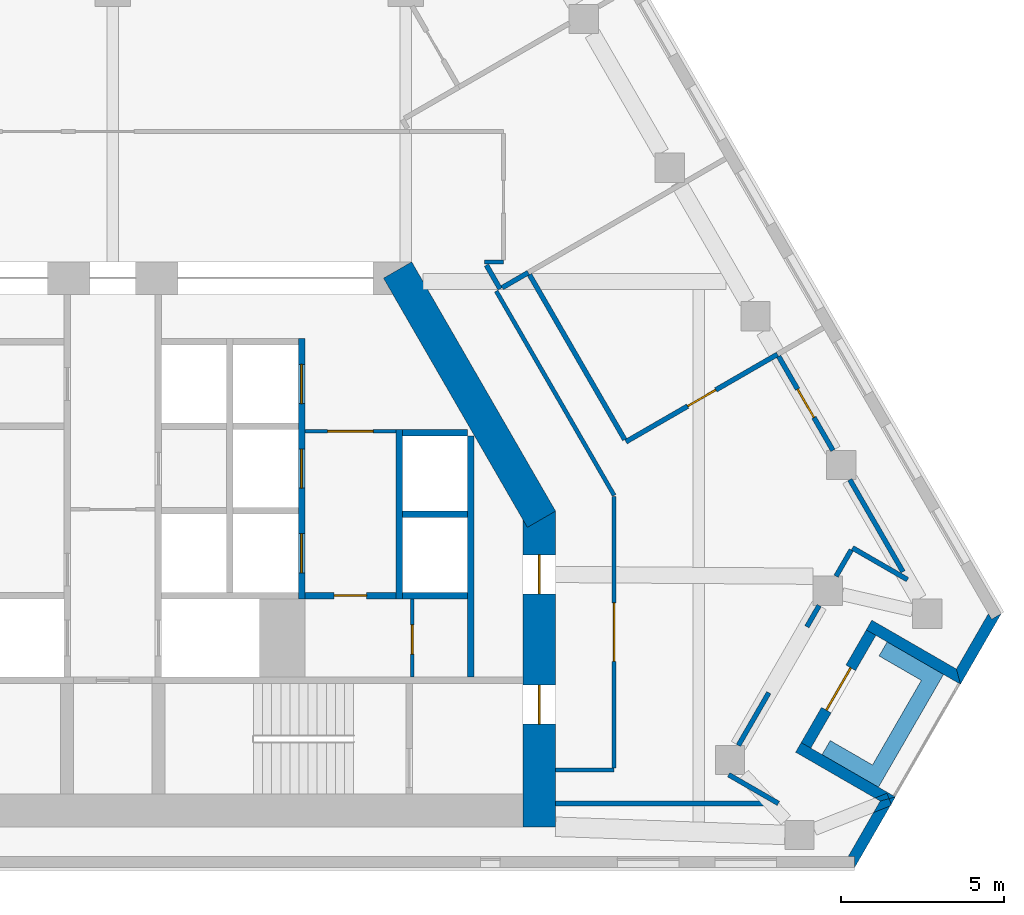
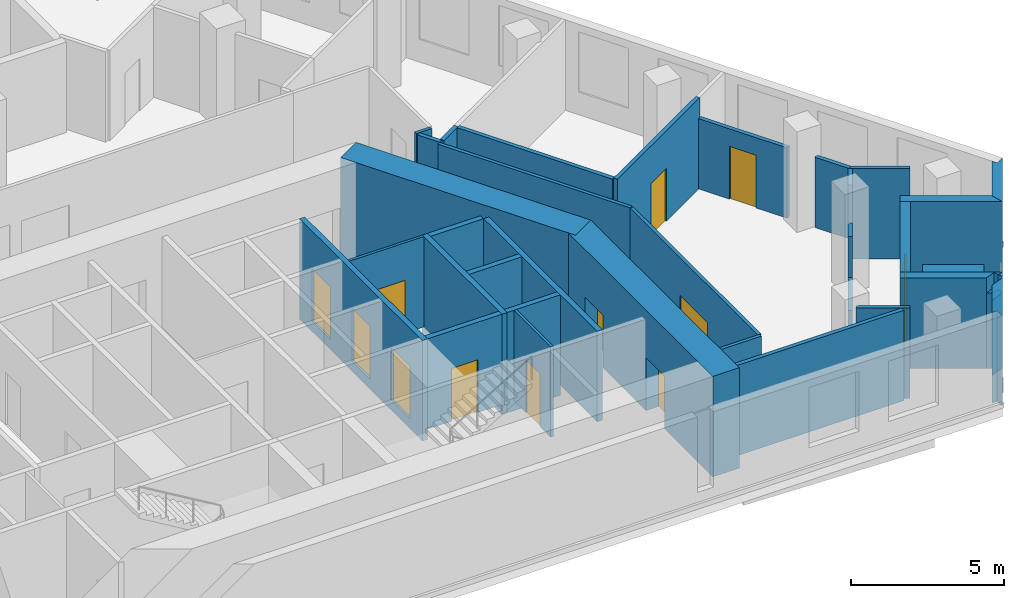
# One storey, part 6 of 9: 36 walls, 12 doors, 12 openings.
"""IFC4 building model written with IfcOpenShell, lengths in metres."""

from ifc_helpers import new_model, si_unit, direction, frame, frame_2d, origin, place, context, subcontext, project, spatial, polyline, rectangle, outline, extrude, material, layer, layer_set, type_object, element, fill, save


model = new_model("IFC4")

# Units and contexts
model_context = context("Model", 3, precision=1e-05, world=origin(), true_north=direction((0.0, 1.0)))
body_context = subcontext(model_context, "Body", "Model", "MODEL_VIEW")
ifc_project = project(units=[si_unit("LENGTHUNIT", "METRE"), si_unit("AREAUNIT", "SQUARE_METRE"), si_unit("VOLUMEUNIT", "CUBIC_METRE"), si_unit("PLANEANGLEUNIT", "RADIAN"), si_unit("MASSUNIT", "GRAM", prefix="KILO")], contexts=[model_context])

# Site, building, storey
site_placement = place(None, origin())
site = spatial("IfcSite", under=ifc_project, at=site_placement, CompositionType="ELEMENT")
building_placement = place(site_placement, origin())
building = spatial("IfcBuilding", under=site, at=building_placement, Name="Fogline Exchange Tower", CompositionType="ELEMENT")
storey_placement = place(building_placement, frame((0.0, 0.0, 210.10009765625)))
storey = spatial("IfcBuildingStorey", under=building, at=storey_placement, Name="L47", CompositionType="ELEMENT", Elevation=210.10009765625)

# Wall, opening, door
ifc_material_1 = material(Name="Blockwork partition", Category="masonry")
ifc_layer_1 = layer(ifc_material_1, 0.10009765625)
ifc_layer_set_1 = layer_set([ifc_layer_1], Name="CW10")
wall_type_1 = type_object("IfcWallType", Name="CW10", PredefinedType="PARTITIONING", material=ifc_layer_set_1)
wall_1_placement = place(storey_placement, frame((5.89990234375, 13.39990234375, 0.0), z_axis=(0.0, 0.0, 1.0), x_axis=(1.0, 0.0, 0.0)))
wall_1 = element("IfcWall", 1, at=wall_1_placement, inside=storey, type_object=wall_type_1, Name="Lift lobby partition", PredefinedType="PARTITIONING", context=body_context, shape_type="SweptSolid", body=[
    extrude(rectangle(XDim=2.800048828125, YDim=0.10009765625, at=frame_2d((1.39990234375, 0.0))), origin(), (0.0, 0.0, 1.0), 3.599853515625),
])
opening_1_placement = place(wall_1_placement, frame((0.699951171875, 0.0, 0.0)))
opening_1 = element("IfcOpeningElement", 2, at=opening_1_placement, cuts=wall_1, Name="Opening T15-C013", PredefinedType="OPENING", context=body_context, shape_type="SweptSolid", body=[
    extrude(rectangle(XDim=1.39990234375, YDim=2.10009765625, at=frame_2d((0.699951171875, 1.050048828125))), frame((0.0, 0.06005859375, 0.0), z_axis=(0.0, -1.0, 0.0), x_axis=(1.0, 0.0, 0.0)), (0.0, 0.0, 1.0), 0.1201171875),
])
ifc_material_2 = material(Name="Steel and timber fire door", Category="steel")
door_type_1 = type_object("IfcDoorType", Name="D-LB1", OperationType="DOUBLE_DOOR_SINGLE_SWING", PredefinedType="DOOR", material=ifc_material_2)
door_1_placement = place(opening_1_placement, frame((1.39990234375, 0.0, 0.0), z_axis=(0.0, 0.0, 1.0), x_axis=(-1.0, 0.0, 0.0)))
door_1 = element("IfcDoor", 3, at=door_1_placement, inside=storey, type_object=door_type_1, Name="Door to lift lobby", OperationType="DOUBLE_DOOR_SINGLE_SWING", OverallHeight=2.10009765625, OverallWidth=1.39990234375, PredefinedType="DOOR", context=body_context, shape_type="SweptSolid", body=[
    extrude(rectangle(XDim=1.39990234375, YDim=2.10009765625, at=frame_2d((0.699951171875, 1.050048828125))), frame((0.0, 0.02490234375, 0.0), z_axis=(0.0, -1.0, 0.0), x_axis=(1.0, 0.0, 0.0)), (0.0, 0.0, 1.0), 0.050048828125),
])
fill(opening_1, door_1)

wall_2_placement = place(storey_placement, frame((9.199951171875, 5.85009765625, 0.0), z_axis=(0.0, 0.0, 1.0), x_axis=(0.0, 1.0, 0.0)))
wall_2 = element("IfcWall", 4, at=wall_2_placement, inside=storey, type_object=wall_type_1, Name="WC partition", PredefinedType="PARTITIONING", context=body_context, shape_type="SweptSolid", body=[
    extrude(rectangle(XDim=2.39990234375, YDim=0.10009765625, at=frame_2d((1.199951171875, 0.0))), origin(), (0.0, 0.0, 1.0), 3.599853515625),
])
opening_2_placement = place(wall_2_placement, frame((0.699951171875, 0.0, 0.0)))
opening_2 = element("IfcOpeningElement", 5, at=opening_2_placement, cuts=wall_2, Name="Opening T15-C015", PredefinedType="OPENING", context=body_context, shape_type="SweptSolid", body=[
    extrude(rectangle(XDim=0.89990234375, YDim=2.10009765625, at=frame_2d((0.449951171875, 1.050048828125))), frame((0.0, 0.06005859375, 0.0), z_axis=(0.0, -1.0, 0.0), x_axis=(1.0, 0.0, 0.0)), (0.0, 0.0, 1.0), 0.1201171875),
])
door_type_2 = type_object("IfcDoorType", Name="D-CS1", OperationType="SINGLE_SWING_RIGHT", PredefinedType="DOOR", material=ifc_material_2)
door_2_placement = place(opening_2_placement, frame((0.89990234375, 0.0, 0.0), z_axis=(0.0, 0.0, 1.0), x_axis=(-1.0, 0.0, 0.0)))
door_2 = element("IfcDoor", 6, at=door_2_placement, inside=storey, type_object=door_type_2, Name="Door to Cleaner's Store", OperationType="SINGLE_SWING_RIGHT", OverallHeight=2.10009765625, OverallWidth=0.89990234375, PredefinedType="DOOR", context=body_context, shape_type="SweptSolid", body=[
    extrude(rectangle(XDim=0.89990234375, YDim=2.10009765625, at=frame_2d((0.449951171875, 1.050048828125))), frame((0.0, 0.02490234375, 0.0), z_axis=(0.0, -1.0, 0.0), x_axis=(1.0, 0.0, 0.0)), (0.0, 0.0, 1.0), 0.050048828125),
])
fill(opening_2, door_2)

# Wall
ifc_material_3 = material(Name="Concrete C40", Category="concrete")
ifc_layer_2 = layer(ifc_material_3, 0.199951171875)
ifc_layer_set_2 = layer_set([ifc_layer_2], Name="CW20")
wall_type_2 = type_object("IfcWallType", Name="CW20", PredefinedType="SOLIDWALL", material=ifc_layer_set_2)
wall_3_placement = place(storey_placement, frame((11.0, 5.85009765625, 0.0), z_axis=(0.0, 0.0, 1.0), x_axis=(0.0, 1.0, 0.0)))
element("IfcWall", 7, at=wall_3_placement, inside=storey, type_object=wall_type_2, Name="Service room wall", PredefinedType="SOLIDWALL", context=body_context, shape_type="SweptSolid", body=[
    extrude(rectangle(XDim=7.39990234375, YDim=0.199951171875, at=frame_2d((3.699951171875, 0.0))), origin(), (0.0, 0.0, 1.0), 3.599853515625),
])

# Wall, opening, door
wall_4_placement = place(storey_placement, frame((5.89990234375, 8.35009765625, 0.0), z_axis=(0.0, 0.0, 1.0), x_axis=(1.0, 0.0, 0.0)))
wall_4 = element("IfcWall", 8, at=wall_4_placement, inside=storey, type_object=wall_type_2, Name="WC wall", PredefinedType="SOLIDWALL", context=body_context, shape_type="SweptSolid", body=[
    extrude(rectangle(XDim=2.800048828125, YDim=0.199951171875, at=frame_2d((1.39990234375, 0.0))), origin(), (0.0, 0.0, 1.0), 3.599853515625),
])
opening_3_placement = place(wall_4_placement, frame((0.89990234375, 0.0, 0.0)))
opening_3 = element("IfcOpeningElement", 9, at=opening_3_placement, cuts=wall_4, Name="Opening T15-C014", PredefinedType="OPENING", context=body_context, shape_type="SweptSolid", body=[
    extrude(rectangle(XDim=1.0, YDim=2.10009765625, at=frame_2d((0.5, 1.050048828125))), frame((0.0, 0.10986328125, 0.0), z_axis=(0.0, -1.0, 0.0), x_axis=(1.0, 0.0, 0.0)), (0.0, 0.0, 1.0), 0.219970703125),
])
door_type_3 = type_object("IfcDoorType", Name="D-WC1", OperationType="SINGLE_SWING_LEFT", PredefinedType="DOOR", material=ifc_material_2)
door_3_placement = place(opening_3_placement, frame((1.0, 0.0, 0.0), z_axis=(0.0, 0.0, 1.0), x_axis=(-1.0, 0.0, 0.0)))
door_3 = element("IfcDoor", 10, at=door_3_placement, inside=storey, type_object=door_type_3, Name="Door to Women's WC", OperationType="SINGLE_SWING_LEFT", OverallHeight=2.10009765625, OverallWidth=1.0, PredefinedType="DOOR", context=body_context, shape_type="SweptSolid", body=[
    extrude(rectangle(XDim=1.0, YDim=2.10009765625, at=frame_2d((0.5, 1.050048828125))), frame((0.0, 0.02490234375, 0.0), z_axis=(0.0, -1.0, 0.0), x_axis=(1.0, 0.0, 0.0)), (0.0, 0.0, 1.0), 0.050048828125),
])
fill(opening_3, door_3)

# Wall
ifc_layer_3 = layer(ifc_material_3, 0.199951171875)
ifc_layer_set_3 = layer_set([ifc_layer_3], Name="CW20S")
wall_type_3 = type_object("IfcWallType", Name="CW20S", PredefinedType="SOLIDWALL", material=ifc_layer_set_3)
wall_5_placement = place(storey_placement, frame((8.800048828125, 8.25, -0.400146484375), z_axis=(0.0, 0.0, 1.0), x_axis=(0.0, 1.0, 0.0)))
element("IfcWall", 11, at=wall_5_placement, inside=storey, type_object=wall_type_3, Name="Lift shaft wall", PredefinedType="SOLIDWALL", context=body_context, shape_type="SweptSolid", body=[
    extrude(rectangle(XDim=5.199951171875, YDim=0.199951171875, at=frame_2d((2.60009765625, 0.0))), origin(), (0.0, 0.0, 1.0), 4.0),
])

# Wall, openings, doors
wall_6_placement = place(storey_placement, frame((5.800048828125, 8.25, -0.400146484375), z_axis=(0.0, 0.0, 1.0), x_axis=(0.0, 1.0, 0.0)))
wall_6 = element("IfcWall", 12, at=wall_6_placement, inside=storey, type_object=wall_type_3, Name="Lift shaft wall", PredefinedType="SOLIDWALL", context=body_context, shape_type="SweptSolid", body=[
    extrude(rectangle(XDim=8.0, YDim=0.199951171875, at=frame_2d((4.0, 0.0))), origin(), (0.0, 0.0, 1.0), 4.0),
])
opening_4_placement = place(wall_6_placement, frame((0.800048828125, 0.0, 0.39990234375)))
opening_4 = element("IfcOpeningElement", 13, at=opening_4_placement, cuts=wall_6, Name="Opening T15-LD02", PredefinedType="OPENING", context=body_context, shape_type="SweptSolid", body=[
    extrude(rectangle(XDim=1.199951171875, YDim=2.10009765625, at=frame_2d((0.60009765625, 1.050048828125))), frame((0.0, 0.10986328125, 0.0), z_axis=(0.0, -1.0, 0.0), x_axis=(1.0, 0.0, 0.0)), (0.0, 0.0, 1.0), 0.219970703125),
])
opening_5_placement = place(wall_6_placement, frame((3.39990234375, 0.0, 0.39990234375)))
opening_5 = element("IfcOpeningElement", 14, at=opening_5_placement, cuts=wall_6, Name="Opening T15-LD03", PredefinedType="OPENING", context=body_context, shape_type="SweptSolid", body=[
    extrude(rectangle(XDim=1.199951171875, YDim=2.10009765625, at=frame_2d((0.60009765625, 1.050048828125))), frame((0.0, 0.10986328125, 0.0), z_axis=(0.0, -1.0, 0.0), x_axis=(1.0, 0.0, 0.0)), (0.0, 0.0, 1.0), 0.219970703125),
])
opening_6_placement = place(wall_6_placement, frame((6.0, 0.0, 0.39990234375)))
opening_6 = element("IfcOpeningElement", 15, at=opening_6_placement, cuts=wall_6, Name="Opening T15-LD04", PredefinedType="OPENING", context=body_context, shape_type="SweptSolid", body=[
    extrude(rectangle(XDim=1.199951171875, YDim=2.10009765625, at=frame_2d((0.60009765625, 1.050048828125))), frame((0.0, 0.10986328125, 0.0), z_axis=(0.0, -1.0, 0.0), x_axis=(1.0, 0.0, 0.0)), (0.0, 0.0, 1.0), 0.219970703125),
])
door_type_4 = type_object("IfcDoorType", Name="LD1", OperationType="SLIDING_TO_LEFT", PredefinedType="DOOR", material=ifc_material_2)
door_4_placement = place(opening_4_placement, origin())
door_4 = element("IfcDoor", 16, at=door_4_placement, inside=storey, type_object=door_type_4, Name="Landing door MR1", OperationType="SLIDING_TO_LEFT", OverallHeight=2.10009765625, OverallWidth=1.199951171875, PredefinedType="DOOR", context=body_context, shape_type="SweptSolid", body=[
    extrude(rectangle(XDim=1.199951171875, YDim=2.10009765625, at=frame_2d((0.60009765625, 1.050048828125))), frame((0.0, 0.02490234375, 0.0), z_axis=(0.0, -1.0, 0.0), x_axis=(1.0, 0.0, 0.0)), (0.0, 0.0, 1.0), 0.050048828125),
])
fill(opening_4, door_4)
door_5_placement = place(opening_5_placement, origin())
door_5 = element("IfcDoor", 17, at=door_5_placement, inside=storey, type_object=door_type_4, Name="Landing door MR2", OperationType="SLIDING_TO_LEFT", OverallHeight=2.10009765625, OverallWidth=1.199951171875, PredefinedType="DOOR", context=body_context, shape_type="SweptSolid", body=[
    extrude(rectangle(XDim=1.199951171875, YDim=2.10009765625, at=frame_2d((0.60009765625, 1.050048828125))), frame((0.0, 0.02490234375, 0.0), z_axis=(0.0, -1.0, 0.0), x_axis=(1.0, 0.0, 0.0)), (0.0, 0.0, 1.0), 0.050048828125),
])
fill(opening_5, door_5)
door_6_placement = place(opening_6_placement, origin())
door_6 = element("IfcDoor", 18, at=door_6_placement, inside=storey, type_object=door_type_4, Name="Landing door MR3", OperationType="SLIDING_TO_LEFT", OverallHeight=2.10009765625, OverallWidth=1.199951171875, PredefinedType="DOOR", context=body_context, shape_type="SweptSolid", body=[
    extrude(rectangle(XDim=1.199951171875, YDim=2.10009765625, at=frame_2d((0.60009765625, 1.050048828125))), frame((0.0, 0.02490234375, 0.0), z_axis=(0.0, -1.0, 0.0), x_axis=(1.0, 0.0, 0.0)), (0.0, 0.0, 1.0), 0.050048828125),
])
fill(opening_6, door_6)

# Walls
for number, where, z_axis, x_axis, name in (
    (19, (8.89990234375, 8.35009765625, -0.400146484375), (0.0, 0.0, 1.0), (1.0, 0.0, 0.0), "Lift shaft wall"),
    (20, (8.89990234375, 10.85009765625, -0.400146484375), (0.0, 0.0, 1.0), (1.0, 0.0, 0.0), "Lift shaft wall"),
    (21, (8.89990234375, 13.35009765625, -0.400146484375), (0.0, 0.0, 1.0), (1.0, 0.0, 0.0), "Lift shaft wall"),
):
    element("IfcWall", number, at=place(storey_placement, frame(where, z_axis=z_axis, x_axis=x_axis)), inside=storey, type_object=wall_type_3, Name=name, PredefinedType="SOLIDWALL", context=body_context, shape_type="SweptSolid", body=[
        extrude(rectangle(XDim=2.0, YDim=0.199951171875, at=frame_2d((1.0, 0.0))), origin(), (0.0, 0.0, 1.0), 4.0),
    ])
ifc_material_4 = material(Name="Brick masonry", Category="masonry")
ifc_layer_4 = layer(ifc_material_4, 0.340087890625)
ifc_layer_set_4 = layer_set([ifc_layer_4], Name="FW1")
wall_type_4 = type_object("IfcWallType", Name="FW1", PredefinedType="SOLIDWALL", material=ifc_layer_set_4)
wall_7_placement = place(storey_placement, origin())
element("IfcWall", 22, at=wall_7_placement, inside=storey, type_object=wall_type_4, Name="Brick wall L47 SE-c1", PredefinedType="SOLIDWALL", context=body_context, shape_type="SweptSolid", body=[
    extrude(outline(polyline([(23.878173828125, 1.8896484375), (23.3671875, 1.68701171875), (23.57177734375, 2.041015625), (23.84375, 2.114013671875), (23.91064453125, 1.945556640625), (23.878173828125, 1.8896484375)])), origin(), (0.0, 0.0, 1.0), 3.0),
])
wall_8_placement = place(storey_placement, origin())
element("IfcWall", 23, at=wall_8_placement, inside=storey, type_object=wall_type_4, Name="Brick wall L47 SE-c1", PredefinedType="SOLIDWALL", context=body_context, shape_type="SweptSolid", body=[
    extrude(outline(polyline([(23.91064453125, 1.945556640625), (23.84375, 2.114013671875), (24.037353515625, 2.166015625), (24.03759765625, 2.165771484375), (23.91064453125, 1.945556640625)])), origin(), (0.0, 0.0, 1.0), 3.599853515625),
])
wall_9_placement = place(storey_placement, origin())
element("IfcWall", 24, at=wall_9_placement, inside=storey, type_object=wall_type_4, Name="Brick wall L47 SE-c1", PredefinedType="SOLIDWALL", context=body_context, shape_type="SweptSolid", body=[
    extrude(outline(polyline([(22.78662109375, -0.001220703125), (22.785888671875, -0.0009765625), (22.785888671875, 0.33935546875), (22.589111328125, 0.33935546875), (23.3671875, 1.68701171875), (23.878173828125, 1.8896484375), (22.78662109375, -0.001220703125)])), origin(), (0.0, 0.0, 1.0), 3.599853515625),
])
wall_10_placement = place(storey_placement, origin())
element("IfcWall", 25, at=wall_10_placement, inside=storey, type_object=wall_type_4, Name="Brick wall L47 SE-s1", PredefinedType="SOLIDWALL", context=body_context, shape_type="SweptSolid", body=[
    extrude(outline(polyline([(23.572021484375, 2.0400390625), (23.4091796875, 2.134033203125), (23.77783203125, 2.2802734375), (23.84423828125, 2.113037109375), (23.572021484375, 2.0400390625)])), origin(), (0.0, 0.0, 1.0), 3.0),
])
wall_11_placement = place(storey_placement, origin())
element("IfcWall", 26, at=wall_11_placement, inside=storey, type_object=wall_type_4, Name="Brick wall L47 SE-s1", PredefinedType="SOLIDWALL", context=body_context, shape_type="SweptSolid", body=[
    extrude(outline(polyline([(21.143798828125, 3.8359375), (21.438720703125, 3.66552734375), (24.037841796875, 2.1650390625), (24.03759765625, 2.164794921875), (23.84423828125, 2.113037109375), (23.77783203125, 2.2802734375), (23.4091796875, 2.134033203125), (20.97314453125, 3.540283203125), (21.143798828125, 3.8359375)])), origin(), (0.0, 0.0, 1.0), 3.599853515625),
])

# Wall, opening, door
wall_12_placement = place(storey_placement, frame((21.291259765625, 3.75, 0.0), z_axis=(0.0, 0.0, 1.0), x_axis=(0.49999894854, 0.866026010844, 0.0)))
wall_12 = element("IfcWall", 27, at=wall_12_placement, inside=storey, type_object=wall_type_4, Name="Brick wall L47 SE-bk", PredefinedType="SOLIDWALL", context=body_context, shape_type="SweptSolid", body=[
    extrude(rectangle(XDim=4.0, YDim=0.340087890625, at=frame_2d((2.0, 0.0))), origin(), (0.0, 0.0, 1.0), 3.599853515625),
])
opening_7_placement = place(wall_12_placement, frame((1.25, 0.0, 0.0)))
opening_7 = element("IfcOpeningElement", 28, at=opening_7_placement, cuts=wall_12, Name="Opening T15-E081", PredefinedType="OPENING", context=body_context, shape_type="SweptSolid", body=[
    extrude(rectangle(XDim=1.5, YDim=2.39990234375, at=frame_2d((0.75, 1.199951171875))), frame((0.0, 0.18017578125, 0.0), z_axis=(0.0, -1.0, 0.0), x_axis=(1.0, 0.0, 0.0)), (0.0, 0.0, 1.0), 0.360107421875),
])
ifc_material_5 = material(Name="Aluminium and glass", Category="aluminium")
door_type_5 = type_object("IfcDoorType", Name="ED4", OperationType="SINGLE_SWING_LEFT", PredefinedType="DOOR", material=ifc_material_5)
door_7_placement = place(opening_7_placement, frame((1.5, 0.0, 0.0), z_axis=(0.0, 0.0, 1.0), x_axis=(-1.0, 0.0, 0.0)))
door_7 = element("IfcDoor", 29, at=door_7_placement, inside=storey, type_object=door_type_5, Name="Balcony door L47 SE", OperationType="DOUBLE_DOOR_SINGLE_SWING", OverallHeight=2.39990234375, OverallWidth=1.5, PredefinedType="DOOR", context=body_context, shape_type="SweptSolid", body=[
    extrude(rectangle(XDim=1.5, YDim=2.39990234375, at=frame_2d((0.75, 1.199951171875))), frame((0.0, 0.02490234375, 0.0), z_axis=(0.0, -1.0, 0.0), x_axis=(1.0, 0.0, 0.0)), (0.0, 0.0, 1.0), 0.050048828125),
])
fill(opening_7, door_7)

# Walls
wall_13_placement = place(storey_placement, origin())
element("IfcWall", 30, at=wall_13_placement, inside=storey, type_object=wall_type_4, Name="Brick wall L47 SE-s2", PredefinedType="SOLIDWALL", context=body_context, shape_type="SweptSolid", body=[
    extrude(outline(polyline([(26.037109375, 5.628173828125), (23.438232421875, 7.128662109375), (23.14306640625, 7.298828125), (23.313720703125, 7.594482421875), (25.91259765625, 6.093994140625), (26.037353515625, 5.62841796875), (26.037109375, 5.628173828125)])), origin(), (0.0, 0.0, 1.0), 3.599853515625),
])
wall_14_placement = place(storey_placement, origin())
element("IfcWall", 31, at=wall_14_placement, inside=storey, type_object=wall_type_4, Name="Brick wall L47 SE-c2", PredefinedType="SOLIDWALL", context=body_context, shape_type="SweptSolid", body=[
    extrude(outline(polyline([(26.89404296875, 7.79541015625), (26.9921875, 7.625), (27.287109375, 7.79541015625), (27.28759765625, 7.794921875), (26.03662109375, 5.6279296875), (26.0361328125, 5.6279296875), (25.911376953125, 6.09375), (26.89404296875, 7.79541015625)])), origin(), (0.0, 0.0, 1.0), 3.599853515625),
])
ifc_material_6 = material(Name="Concrete C30", Category="concrete")
ifc_layer_5 = layer(ifc_material_6, 0.199951171875)
ifc_layer_set_5 = layer_set([ifc_layer_5], Name="PL1")
wall_type_5 = type_object("IfcWallType", Name="PL1", PredefinedType="USERDEFINED", material=ifc_layer_set_5)
wall_15_placement = place(storey_placement, origin())
element("IfcWall", 32, at=wall_15_placement, inside=storey, type_object=wall_type_5, Name="PLANTER balcony L47 SE", ObjectType="PLANTER", PredefinedType="USERDEFINED", context=body_context, shape_type="SweptSolid", body=[
    extrude(outline(polyline([(21.784912109375, 3.465087890625), (23.083984375, 2.715087890625), (23.083984375, 2.715087890625), (23.516845703125, 2.465087890625), (25.266845703125, 5.49609375), (25.516845703125, 5.92919921875), (23.784912109375, 6.92919921875), (23.534912109375, 6.49609375), (24.833984375, 5.74609375), (23.333984375, 3.148193359375), (22.034912109375, 3.898193359375), (21.784912109375, 3.465087890625)])), origin(), (0.0, 0.0, 1.0), 1.099853515625),
])
ifc_material_7 = material(Name="Plasterboard corridor partition with mineral wool, 2 layers each side")
ifc_layer_6 = layer(ifc_material_7, 0.125)
ifc_layer_set_6 = layer_set([ifc_layer_6], Name="PW2")
wall_type_6 = type_object("IfcWallType", Name="PW2", PredefinedType="PARTITIONING", material=ifc_layer_set_6)
wall_16_placement = place(storey_placement, frame((11.77734375, 17.702392578125, 0.0), z_axis=(0.0, 0.0, 1.0), x_axis=(0.499987887718, -0.866032396701, 0.0)))
element("IfcWall", 33, at=wall_16_placement, inside=storey, type_object=wall_type_6, Name="wall-L47-W001", PredefinedType="PARTITIONING", context=body_context, shape_type="SweptSolid", body=[
    extrude(rectangle(XDim=7.245361328125, YDim=0.125, at=frame_2d((3.62255859375, 0.0))), origin(), (0.0, 0.0, 1.0), 3.599853515625),
])

# Wall, opening, door
wall_17_placement = place(storey_placement, frame((15.39990234375, 11.396728515625, 0.0), z_axis=(0.0, 0.0, 1.0), x_axis=(0.0, -1.0, 0.0)))
wall_17 = element("IfcWall", 34, at=wall_17_placement, inside=storey, type_object=wall_type_6, Name="wall-L47-W002", PredefinedType="PARTITIONING", context=body_context, shape_type="SweptSolid", body=[
    extrude(rectangle(XDim=8.334228515625, YDim=0.125, at=frame_2d((4.1669921875, 0.0))), origin(), (0.0, 0.0, 1.0), 3.599853515625),
])
opening_8_placement = place(wall_17_placement, frame((3.26708984375, 0.0, 0.0)))
opening_8 = element("IfcOpeningElement", 35, at=opening_8_placement, cuts=wall_17, Name="Opening T15-D001", PredefinedType="OPENING", context=body_context, shape_type="SweptSolid", body=[
    extrude(rectangle(XDim=1.800048828125, YDim=2.10009765625, at=frame_2d((0.89990234375, 1.050048828125))), frame((0.0, 0.072509765625, 0.0), z_axis=(0.0, -1.0, 0.0), x_axis=(1.0, 0.0, 0.0)), (0.0, 0.0, 1.0), 0.14501953125),
])
ifc_material_8 = material(Name="Fire-rated timber door leaves with steel frame", Category="steel")
door_type_6 = type_object("IfcDoorType", Name="D4", OperationType="DOUBLE_DOOR_SINGLE_SWING", PredefinedType="DOOR", material=ifc_material_8)
door_8_placement = place(opening_8_placement, frame((1.800048828125, 0.0, 0.0), z_axis=(0.0, 0.0, 1.0), x_axis=(-1.0, 0.0, 0.0)))
door_8 = element("IfcDoor", 36, at=door_8_placement, inside=storey, type_object=door_type_6, Name="door-L47-D001", OperationType="DOUBLE_DOOR_SINGLE_SWING", OverallHeight=2.10009765625, OverallWidth=1.800048828125, PredefinedType="DOOR", context=body_context, shape_type="SweptSolid", body=[
    extrude(rectangle(XDim=1.800048828125, YDim=2.10009765625, at=frame_2d((0.89990234375, 1.050048828125))), frame((0.0, 0.02490234375, 0.0), z_axis=(0.0, -1.0, 0.0), x_axis=(1.0, 0.0, 0.0)), (0.0, 0.0, 1.0), 0.050048828125),
])
fill(opening_8, door_8)

# Walls
wall_18_placement = place(storey_placement, frame((15.39990234375, 3.0, 0.0), z_axis=(0.0, 0.0, 1.0), x_axis=(-1.0, 0.0, 0.0)))
element("IfcWall", 37, at=wall_18_placement, inside=storey, type_object=wall_type_6, Name="wall-L47-W003", PredefinedType="PARTITIONING", context=body_context, shape_type="SweptSolid", body=[
    extrude(rectangle(XDim=1.7998046875, YDim=0.125, at=frame_2d((0.89990234375, 0.0))), origin(), (0.0, 0.0, 1.0), 3.599853515625),
])
wall_19_placement = place(storey_placement, frame((12.0, 18.60009765625, 0.0), z_axis=(0.0, 0.0, 1.0), x_axis=(-1.0, 0.0, 0.0)))
element("IfcWall", 38, at=wall_19_placement, inside=storey, type_object=wall_type_6, Name="wall-L47-W006", PredefinedType="PARTITIONING", context=body_context, shape_type="SweptSolid", body=[
    extrude(rectangle(XDim=0.58251953125, YDim=0.125, at=frame_2d((0.291259765625, 0.0))), origin(), (0.0, 0.0, 1.0), 3.599853515625),
])
ifc_material_9 = material(Name="Plasterboard demising partition with mineral wool and acoustic board")
ifc_layer_7 = layer(ifc_material_9, 0.14990234375)
ifc_layer_set_7 = layer_set([ifc_layer_7], Name="PW3")
wall_type_7 = type_object("IfcWallType", Name="PW3", PredefinedType="PARTITIONING", material=ifc_layer_set_7)
wall_20_placement = place(storey_placement, frame((12.761962890625, 18.271484375, 0.0), z_axis=(0.0, 0.0, 1.0), x_axis=(-0.865943820382, -0.500141279983, 0.0)))
element("IfcWall", 39, at=wall_20_placement, inside=storey, type_object=wall_type_7, Name="wall-L47-W020", PredefinedType="PARTITIONING", context=body_context, shape_type="SweptSolid", body=[
    extrude(rectangle(XDim=0.925048828125, YDim=0.14990234375, at=frame_2d((0.46240234375, 0.0))), origin(), (0.0, 0.0, 1.0), 3.599853515625),
])
wall_21_placement = place(storey_placement, frame((11.89599609375, 17.771484375, 0.0), z_axis=(0.0, 0.0, 1.0), x_axis=(-0.500074377092, 0.865982457891, 0.0)))
element("IfcWall", 40, at=wall_21_placement, inside=storey, type_object=wall_type_7, Name="wall-L47-W021", PredefinedType="PARTITIONING", context=body_context, shape_type="SweptSolid", body=[
    extrude(rectangle(XDim=0.840576171875, YDim=0.14990234375, at=frame_2d((0.42041015625, 0.0))), origin(), (0.0, 0.0, 1.0), 3.599853515625),
])
wall_22_placement = place(storey_placement, frame((13.60009765625, 1.967529296875, 0.0), z_axis=(0.0, 0.0, 1.0), x_axis=(1.0, 0.0, 0.0)))
element("IfcWall", 41, at=wall_22_placement, inside=storey, type_object=wall_type_7, Name="wall-L47-W046", PredefinedType="PARTITIONING", context=body_context, shape_type="SweptSolid", body=[
    extrude(rectangle(XDim=6.563232421875, YDim=0.14990234375, at=frame_2d((3.28173828125, 0.0))), origin(), (0.0, 0.0, 1.0), 3.599853515625),
])
wall_23_placement = place(storey_placement, frame((20.443603515625, 1.967529296875, 0.0), z_axis=(0.0, 0.0, 1.0), x_axis=(-0.866010328312, 0.500026110575, 0.0)))
element("IfcWall", 42, at=wall_23_placement, inside=storey, type_object=wall_type_7, Name="wall-L47-W047", PredefinedType="PARTITIONING", context=body_context, shape_type="SweptSolid", body=[
    extrude(rectangle(XDim=1.76318359375, YDim=0.14990234375, at=frame_2d((0.881591796875, 0.0))), origin(), (0.0, 0.0, 1.0), 3.599853515625),
])
wall_24_placement = place(storey_placement, frame((19.215087890625, 3.7490234375, 0.0), z_axis=(0.0, 0.0, 1.0), x_axis=(0.499959873864, 0.866048569381, 0.0)))
element("IfcWall", 43, at=wall_24_placement, inside=storey, type_object=wall_type_7, Name="wall-L47-W048", PredefinedType="PARTITIONING", context=body_context, shape_type="SweptSolid", body=[
    extrude(rectangle(XDim=1.869384765625, YDim=0.14990234375, at=frame_2d((0.9345703125, 0.0))), origin(), (0.0, 0.0, 1.0), 2.7998046875),
])
wall_25_placement = place(storey_placement, frame((21.3193359375, 7.393798828125, 0.0), z_axis=(0.0, 0.0, 1.0), x_axis=(0.500153222552, 0.865936922628, 0.0)))
element("IfcWall", 44, at=wall_25_placement, inside=storey, type_object=wall_type_7, Name="wall-L47-W049", PredefinedType="PARTITIONING", context=body_context, shape_type="SweptSolid", body=[
    extrude(rectangle(XDim=0.752197265625, YDim=0.14990234375, at=frame_2d((0.3759765625, 0.0))), origin(), (0.0, 0.0, 1.0), 2.7998046875),
])
wall_26_placement = place(storey_placement, frame((22.215087890625, 8.9453125, 0.0), z_axis=(0.0, 0.0, 1.0), x_axis=(0.500198977292, 0.865910493709, 0.0)))
element("IfcWall", 45, at=wall_26_placement, inside=storey, type_object=wall_type_7, Name="wall-L47-W050", PredefinedType="PARTITIONING", context=body_context, shape_type="SweptSolid", body=[
    extrude(rectangle(XDim=0.93115234375, YDim=0.14990234375, at=frame_2d((0.465576171875, 0.0))), origin(), (0.0, 0.0, 1.0), 3.599853515625),
])
wall_27_placement = place(storey_placement, frame((22.71826171875, 9.81689453125, 0.0), z_axis=(0.0, 0.0, 1.0), x_axis=(0.865990075325, -0.500061185694, 0.0)))
element("IfcWall", 46, at=wall_27_placement, inside=storey, type_object=wall_type_7, Name="wall-L47-W051", PredefinedType="PARTITIONING", context=body_context, shape_type="SweptSolid", body=[
    extrude(rectangle(XDim=1.954833984375, YDim=0.14990234375, at=frame_2d((0.9775390625, 0.0))), origin(), (0.0, 0.0, 1.0), 3.599853515625),
])
wall_28_placement = place(storey_placement, frame((24.27099609375, 9.082275390625, 0.0), z_axis=(0.0, 0.0, 1.0), x_axis=(-0.499989896707, 0.866031236845, 0.0)))
element("IfcWall", 47, at=wall_28_placement, inside=storey, type_object=wall_type_7, Name="wall-L47-W052", PredefinedType="PARTITIONING", context=body_context, shape_type="SweptSolid", body=[
    extrude(rectangle(XDim=3.26611328125, YDim=0.14990234375, at=frame_2d((1.633056640625, 0.0))), origin(), (0.0, 0.0, 1.0), 2.7998046875),
])

# Wall, opening, door
wall_29_placement = place(storey_placement, frame((22.118408203125, 12.810791015625, 0.0), z_axis=(0.0, 0.0, 1.0), x_axis=(-0.500039553057, 0.866002566612, 0.0)))
wall_29 = element("IfcWall", 48, at=wall_29_placement, inside=storey, type_object=wall_type_7, Name="wall-L47-W053", PredefinedType="PARTITIONING", context=body_context, shape_type="SweptSolid", body=[
    extrude(rectangle(XDim=3.332275390625, YDim=0.14990234375, at=frame_2d((1.666015625, 0.0))), origin(), (0.0, 0.0, 1.0), 2.7998046875),
])
opening_9_placement = place(wall_29_placement, frame((1.166015625, 0.0, 0.0)))
opening_9 = element("IfcOpeningElement", 49, at=opening_9_placement, cuts=wall_29, Name="Opening T15-D013", PredefinedType="OPENING", context=body_context, shape_type="SweptSolid", body=[
    extrude(rectangle(XDim=1.0, YDim=2.10009765625, at=frame_2d((0.5, 1.050048828125))), frame((0.0, 0.0849609375, 0.0), z_axis=(0.0, -1.0, 0.0), x_axis=(1.0, 0.0, 0.0)), (0.0, 0.0, 1.0), 0.169921875),
])
ifc_material_10 = material(Name="Fire-rated timber door leaf with steel frame", Category="steel")
door_type_7 = type_object("IfcDoorType", Name="D3", OperationType="SINGLE_SWING_LEFT", PredefinedType="DOOR", material=ifc_material_10)
door_9_placement = place(opening_9_placement, frame((1.0, 0.0, 0.0), z_axis=(0.0, 0.0, 1.0), x_axis=(-1.0, 0.0, 0.0)))
door_9 = element("IfcDoor", 50, at=door_9_placement, inside=storey, type_object=door_type_7, Name="door-L47-D013", OperationType="SINGLE_SWING_LEFT", OverallHeight=2.10009765625, OverallWidth=1.0, PredefinedType="DOOR", context=body_context, shape_type="SweptSolid", body=[
    extrude(rectangle(XDim=1.0, YDim=2.10009765625, at=frame_2d((0.5, 1.050048828125))), frame((0.0, 0.02490234375, 0.0), z_axis=(0.0, -1.0, 0.0), x_axis=(1.0, 0.0, 0.0)), (0.0, 0.0, 1.0), 0.050048828125),
])
fill(opening_9, door_9)

# Wall
wall_30_placement = place(storey_placement, frame((12.799560546875, 18.206298828125, 0.0), z_axis=(0.0, 0.0, 1.0), x_axis=(0.500030735058, -0.866007658163, 0.0)))
element("IfcWall", 51, at=wall_30_placement, inside=storey, type_object=wall_type_7, Name="wall-L47-W055", PredefinedType="PARTITIONING", context=body_context, shape_type="SweptSolid", body=[
    extrude(rectangle(XDim=5.849853515625, YDim=0.14990234375, at=frame_2d((2.9248046875, 0.0))), origin(), (0.0, 0.0, 1.0), 3.599853515625),
])

# Wall, opening, door
wall_31_placement = place(storey_placement, frame((15.761962890625, 13.0751953125, 0.0), z_axis=(0.0, 0.0, 1.0), x_axis=(0.866028186671, 0.499995179869, 0.0)))
wall_31 = element("IfcWall", 52, at=wall_31_placement, inside=storey, type_object=wall_type_7, Name="wall-L47-W056", PredefinedType="PARTITIONING", context=body_context, shape_type="SweptSolid", body=[
    extrude(rectangle(XDim=5.37255859375, YDim=0.14990234375, at=frame_2d((2.686279296875, 0.0))), origin(), (0.0, 0.0, 1.0), 3.599853515625),
])
opening_10_placement = place(wall_31_placement, frame((2.186279296875, 0.0, 0.0)))
opening_10 = element("IfcOpeningElement", 53, at=opening_10_placement, cuts=wall_31, Name="Opening T15-D014", PredefinedType="OPENING", context=body_context, shape_type="SweptSolid", body=[
    extrude(rectangle(XDim=1.0, YDim=2.10009765625, at=frame_2d((0.5, 1.050048828125))), frame((0.0, 0.0849609375, 0.0), z_axis=(0.0, -1.0, 0.0), x_axis=(1.0, 0.0, 0.0)), (0.0, 0.0, 1.0), 0.169921875),
])
door_10_placement = place(opening_10_placement, origin())
door_10 = element("IfcDoor", 54, at=door_10_placement, inside=storey, type_object=door_type_7, Name="door-L47-D014", OperationType="SINGLE_SWING_LEFT", OverallHeight=2.10009765625, OverallWidth=1.0, PredefinedType="DOOR", context=body_context, shape_type="SweptSolid", body=[
    extrude(rectangle(XDim=1.0, YDim=2.10009765625, at=frame_2d((0.5, 1.050048828125))), frame((0.0, 0.02490234375, 0.0), z_axis=(0.0, -1.0, 0.0), x_axis=(1.0, 0.0, 0.0)), (0.0, 0.0, 1.0), 0.050048828125),
])
fill(opening_10, door_10)

# Wall, openings, doors
ifc_material_11 = material(Name="Concrete C60", Category="concrete")
ifc_layer_8 = layer(ifc_material_11, 1.0)
ifc_layer_set_8 = layer_set([ifc_layer_8], Name="SW03")
wall_type_8 = type_object("IfcWallType", Name="SW03", PredefinedType="SHEAR", material=ifc_layer_set_8)
wall_32_placement = place(storey_placement, frame((13.10009765625, 1.25, 0.0), z_axis=(0.0, 0.0, 1.0), x_axis=(0.0, 1.0, 0.0)))
wall_32 = element("IfcWall", 55, at=wall_32_placement, inside=storey, type_object=wall_type_8, Name="L47-W902", PredefinedType="SHEAR", context=body_context, shape_type="SweptSolid", body=[
    extrude(rectangle(XDim=9.6953125, YDim=1.0, at=frame_2d((4.84765625, 0.0))), origin(), (0.0, 0.0, 1.0), 4.0),
])
opening_11_placement = place(wall_32_placement, frame((3.14990234375, 0.0, 0.0)))
opening_11 = element("IfcOpeningElement", 56, at=opening_11_placement, cuts=wall_32, Name="Opening T15-C016", PredefinedType="OPENING", context=body_context, shape_type="SweptSolid", body=[
    extrude(rectangle(XDim=1.199951171875, YDim=2.10009765625, at=frame_2d((0.60009765625, 1.050048828125))), frame((0.0, 0.510009765625, 0.0), z_axis=(0.0, -1.0, 0.0), x_axis=(1.0, 0.0, 0.0)), (0.0, 0.0, 1.0), 1.02001953125),
])
opening_12_placement = place(wall_32_placement, frame((7.14990234375, 0.0, 0.0)))
opening_12 = element("IfcOpeningElement", 57, at=opening_12_placement, cuts=wall_32, Name="Opening T15-C018", PredefinedType="OPENING", context=body_context, shape_type="SweptSolid", body=[
    extrude(rectangle(XDim=1.199951171875, YDim=2.10009765625, at=frame_2d((0.60009765625, 1.050048828125))), frame((0.0, 0.510009765625, 0.0), z_axis=(0.0, -1.0, 0.0), x_axis=(1.0, 0.0, 0.0)), (0.0, 0.0, 1.0), 1.02001953125),
])
door_type_8 = type_object("IfcDoorType", Name="D-FR1", OperationType="SINGLE_SWING_RIGHT", PredefinedType="DOOR", material=ifc_material_2)
door_11_placement = place(opening_11_placement, origin())
door_11 = element("IfcDoor", 58, at=door_11_placement, inside=storey, type_object=door_type_8, Name="Front room door ST2", OperationType="SINGLE_SWING_RIGHT", OverallHeight=2.10009765625, OverallWidth=1.199951171875, PredefinedType="DOOR", context=body_context, shape_type="SweptSolid", body=[
    extrude(rectangle(XDim=1.199951171875, YDim=2.10009765625, at=frame_2d((0.60009765625, 1.050048828125))), frame((0.0, 0.02490234375, 0.0), z_axis=(0.0, -1.0, 0.0), x_axis=(1.0, 0.0, 0.0)), (0.0, 0.0, 1.0), 0.050048828125),
])
fill(opening_11, door_11)
door_type_9 = type_object("IfcDoorType", Name="D-SV1", OperationType="SINGLE_SWING_LEFT", PredefinedType="DOOR", material=ifc_material_2)
door_12_placement = place(opening_12_placement, origin())
door_12 = element("IfcDoor", 59, at=door_12_placement, inside=storey, type_object=door_type_9, Name="Service door E", OperationType="SINGLE_SWING_RIGHT", OverallHeight=2.10009765625, OverallWidth=1.199951171875, PredefinedType="DOOR", context=body_context, shape_type="SweptSolid", body=[
    extrude(rectangle(XDim=1.199951171875, YDim=2.10009765625, at=frame_2d((0.60009765625, 1.050048828125))), frame((0.0, 0.02490234375, 0.0), z_axis=(0.0, -1.0, 0.0), x_axis=(1.0, 0.0, 0.0)), (0.0, 0.0, 1.0), 0.050048828125),
])
fill(opening_12, door_12)

# Wall
wall_33_placement = place(storey_placement, frame((13.1669921875, 10.6953125, 0.0), z_axis=(0.0, 0.0, 1.0), x_axis=(-0.499995021168, 0.866028278295, 0.0)))
element("IfcWall", 60, at=wall_33_placement, inside=storey, type_object=wall_type_8, Name="L47-W903", PredefinedType="SHEAR", context=body_context, shape_type="SweptSolid", body=[
    extrude(rectangle(XDim=8.8388671875, YDim=1.0, at=frame_2d((4.41943359375, 0.0))), origin(), (0.0, 0.0, 1.0), 4.0),
])

save(model, "model.ifc")
